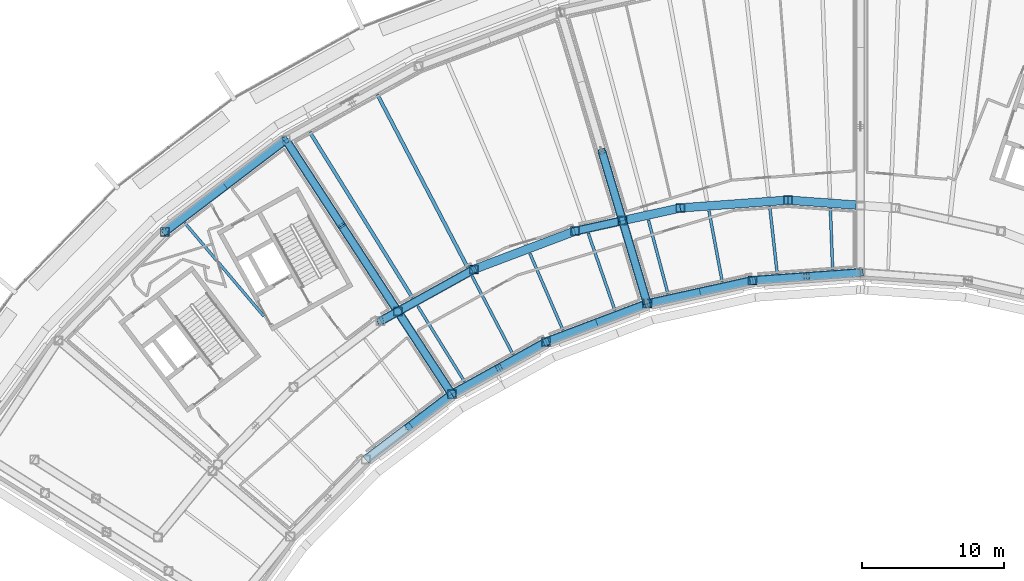
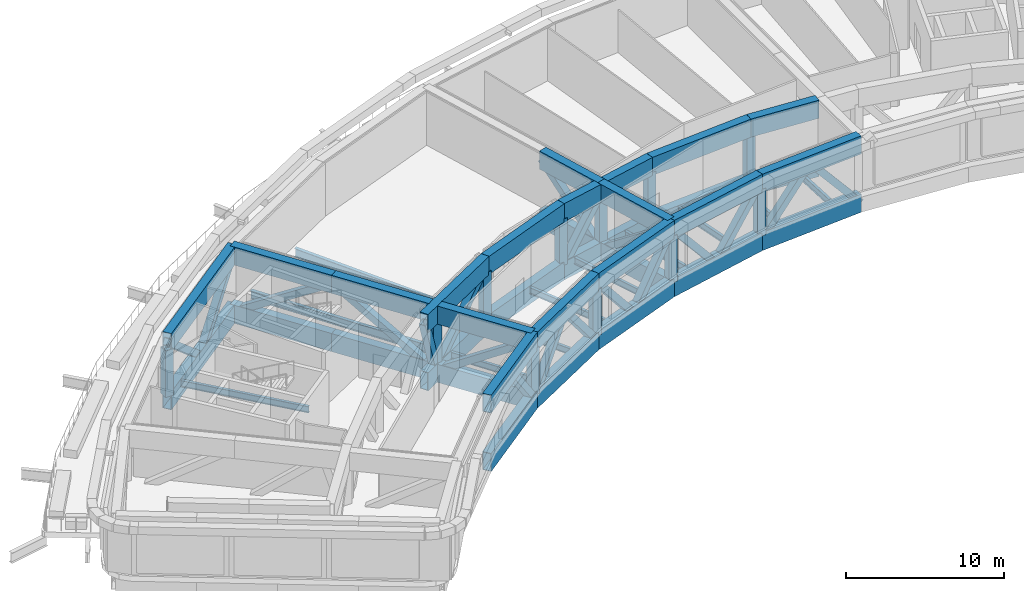
# One storey, part 2 of 24: 45 beams, 30 members.
"""IFC4 building model written with IfcOpenShell, lengths in metres."""

from ifc_helpers import new_model, si_unit, direction, frame, origin, origin_2d, place, context, subcontext, project, spatial, hollow_rectangle, i_section, extrude, material, material_profile, profile_set, type_object, element, save


model = new_model("IFC4")

# Units and contexts
model_context = context("Model", 3, precision=1e-05, world=origin(), true_north=direction((0.0, 1.0)))
body_context = subcontext(model_context, "Body", "Model", "MODEL_VIEW")
ifc_project = project(units=[si_unit("LENGTHUNIT", "METRE"), si_unit("AREAUNIT", "SQUARE_METRE"), si_unit("VOLUMEUNIT", "CUBIC_METRE"), si_unit("PLANEANGLEUNIT", "RADIAN"), si_unit("MASSUNIT", "GRAM", prefix="KILO")], contexts=[model_context])

# Site, building, storey
site_placement = place(None, origin())
site = spatial("IfcSite", under=ifc_project, at=site_placement, CompositionType="ELEMENT")
building_placement = place(site_placement, origin())
building = spatial("IfcBuilding", under=site, at=building_placement, Name="Tuul Gate Civic Tower", CompositionType="ELEMENT")
storey_placement = place(building_placement, frame((0.0, 0.0, 243.89990234375)))
storey = spatial("IfcBuildingStorey", under=building, at=storey_placement, Name="Plant and refuge floor 6", CompositionType="ELEMENT", Elevation=243.89990234375)

# Beams
ifc_material_1 = material(Name="Steel S355", Category="steel")
ifc_material_profile_1 = material_profile(ifc_material_1, i_section(OverallWidth=0.199951171875, OverallDepth=0.5, WebThickness=0.010009765625, FlangeThickness=0.01611328125, at=origin_2d()), Name="PG500x200x10x16")
ifc_profile_set_1 = profile_set([ifc_material_profile_1], Name="Steel S355")
beam_type_1 = type_object("IfcBeamType", Name="STR-FLOOR BEAM-PG500x200x10x16", PredefinedType="BEAM", material=ifc_profile_set_1)
beam_1_placement = place(storey_placement, frame((9.077880859375, -7.67236328125, -0.64990234375), z_axis=(-0.036974021979, 0.999316227077, 0.0), x_axis=(-0.999316227077, -0.036974021979, 0.0)))
element("IfcBeam", 1, at=beam_1_placement, inside=storey, type_object=beam_type_1, Name="Floor beam", PredefinedType="BEAM", context=body_context, shape_type="SweptSolid", body=[
    extrude(i_section(OverallWidth=0.199951171875, OverallDepth=0.5, WebThickness=0.010009765625, FlangeThickness=0.01611328125, at=origin_2d()), origin(), (0.0, 0.0, 1.0), 4.318359375),
])
beam_2_placement = place(storey_placement, frame((5.181884765625, -7.954345703125, -0.64990234375), z_axis=(-0.110826448476, 0.993839774973, 0.0), x_axis=(-0.993839774973, -0.110826448476, 0.0)))
element("IfcBeam", 2, at=beam_2_placement, inside=storey, type_object=beam_type_1, Name="Floor beam", PredefinedType="BEAM", context=body_context, shape_type="SweptSolid", body=[
    extrude(i_section(OverallWidth=0.199951171875, OverallDepth=0.5, WebThickness=0.010009765625, FlangeThickness=0.01611328125, at=origin_2d()), origin(), (0.0, 0.0, 1.0), 4.74951171875),
])
beam_3_placement = place(storey_placement, frame((1.3203125, -8.54296875, -0.64990234375), z_axis=(-0.183990011137, 0.982928113242, 0.0), x_axis=(-0.982928113242, -0.183990011137, 0.0)))
element("IfcBeam", 3, at=beam_3_placement, inside=storey, type_object=beam_type_1, Name="Floor beam", PredefinedType="BEAM", context=body_context, shape_type="SweptSolid", body=[
    extrude(i_section(OverallWidth=0.199951171875, OverallDepth=0.5, WebThickness=0.010009765625, FlangeThickness=0.01611328125, at=origin_2d()), origin(), (0.0, 0.0, 1.0), 5.086181640625),
])
beam_4_placement = place(storey_placement, frame((-2.494384765625, -9.3837890625, -0.64990234375), z_axis=(-0.256166093914, 0.966632780496, 0.0), x_axis=(-0.966632780496, -0.256166093914, 0.0)))
element("IfcBeam", 4, at=beam_4_placement, inside=storey, type_object=beam_type_1, Name="Floor beam", PredefinedType="BEAM", context=body_context, shape_type="SweptSolid", body=[
    extrude(i_section(OverallWidth=0.199951171875, OverallDepth=0.5, WebThickness=0.010009765625, FlangeThickness=0.01611328125, at=origin_2d()), origin(), (0.0, 0.0, 1.0), 5.372314453125),
])
beam_5_placement = place(storey_placement, frame((-6.223388671875, -10.547607421875, -0.64990234375), z_axis=(-0.326900199845, 0.945058865543, 0.0), x_axis=(-0.945058865543, -0.326900199845, 0.0)))
element("IfcBeam", 5, at=beam_5_placement, inside=storey, type_object=beam_type_1, Name="Floor beam", PredefinedType="BEAM", context=body_context, shape_type="SweptSolid", body=[
    extrude(i_section(OverallWidth=0.199951171875, OverallDepth=0.5, WebThickness=0.010009765625, FlangeThickness=0.01611328125, at=origin_2d()), origin(), (0.0, 0.0, 1.0), 5.740234375),
])
beam_6_placement = place(storey_placement, frame((-9.87744140625, -11.92919921875, -0.64990234375), z_axis=(-0.395911608318, 0.918288624779, 0.0), x_axis=(-0.918288624779, -0.395911608318, 0.0)))
element("IfcBeam", 6, at=beam_6_placement, inside=storey, type_object=beam_type_1, Name="Floor beam", PredefinedType="BEAM", context=body_context, shape_type="SweptSolid", body=[
    extrude(i_section(OverallWidth=0.199951171875, OverallDepth=0.5, WebThickness=0.010009765625, FlangeThickness=0.01611328125, at=origin_2d()), origin(), (0.0, 0.0, 1.0), 5.86865234375),
])
beam_7_placement = place(storey_placement, frame((-13.388427734375, -13.641845703125, -0.64990234375), z_axis=(-0.462744320422, 0.886491790102, 0.0), x_axis=(-0.886491790102, -0.462744320422, 0.0)))
element("IfcBeam", 7, at=beam_7_placement, inside=storey, type_object=beam_type_1, Name="Floor beam", PredefinedType="BEAM", context=body_context, shape_type="SweptSolid", body=[
    extrude(i_section(OverallWidth=0.199951171875, OverallDepth=0.5, WebThickness=0.010009765625, FlangeThickness=0.01611328125, at=origin_2d()), origin(), (0.0, 0.0, 1.0), 6.222900390625),
])
beam_8_placement = place(storey_placement, frame((-16.805419921875, -15.5361328125, -0.64990234375), z_axis=(-0.527018379909, 0.849853885817, 0.0), x_axis=(-0.849853885817, -0.527018379909, 0.0)))
element("IfcBeam", 8, at=beam_8_placement, inside=storey, type_object=beam_type_1, Name="Floor beam", PredefinedType="BEAM", context=body_context, shape_type="SweptSolid", body=[
    extrude(i_section(OverallWidth=0.199951171875, OverallDepth=0.5, WebThickness=0.010009765625, FlangeThickness=0.01611328125, at=origin_2d()), origin(), (0.0, 0.0, 1.0), 6.228271484375),
])
beam_9_placement = place(storey_placement, frame((-30.906005859375, -10.947998046875, -0.64990234375), z_axis=(-0.646586120316, 0.762840998514, 0.0), x_axis=(-0.762840998514, -0.646586120316, 0.0)))
element("IfcBeam", 9, at=beam_9_placement, inside=storey, type_object=beam_type_1, Name="Floor beam", PredefinedType="BEAM", context=body_context, shape_type="SweptSolid", body=[
    extrude(i_section(OverallWidth=0.199951171875, OverallDepth=0.5, WebThickness=0.010009765625, FlangeThickness=0.01611328125, at=origin_2d()), origin(), (0.0, 0.0, 1.0), 8.59765625),
])
ifc_material_2 = material(Name="Steel S355", Category="steel")
ifc_material_profile_2 = material_profile(ifc_material_2, i_section(OverallWidth=0.25, OverallDepth=0.64990234375, WebThickness=0.011962890625, FlangeThickness=0.02001953125, at=origin_2d()), Name="PG650x250x12x20")
ifc_profile_set_2 = profile_set([ifc_material_profile_2], Name="Steel S355")
beam_type_2 = type_object("IfcBeamType", Name="STR-FLOOR BEAM-PG650x250x12x20", PredefinedType="BEAM", material=ifc_profile_set_2)
beam_10_placement = place(storey_placement, frame((-16.592041015625, -7.50439453125, -0.724853515625), z_axis=(-0.462733078446, 0.886497658267, 0.0), x_axis=(-0.886497658267, -0.462733078446, 0.0)))
element("IfcBeam", 10, at=beam_10_placement, inside=storey, type_object=beam_type_2, Name="Floor beam", PredefinedType="BEAM", context=body_context, shape_type="SweptSolid", body=[
    extrude(i_section(OverallWidth=0.25, OverallDepth=0.64990234375, WebThickness=0.011962890625, FlangeThickness=0.02001953125, at=origin_2d()), origin(), (0.0, 0.0, 1.0), 13.682861328125),
])
beam_11_placement = place(storey_placement, frame((-20.457275390625, -9.647216796875, -0.724853515625), z_axis=(-0.527005596065, 0.849861813307, 0.0), x_axis=(-0.849861813307, -0.527005596065, 0.0)))
element("IfcBeam", 11, at=beam_11_placement, inside=storey, type_object=beam_type_2, Name="Floor beam", PredefinedType="BEAM", context=body_context, shape_type="SweptSolid", body=[
    extrude(i_section(OverallWidth=0.25, OverallDepth=0.64990234375, WebThickness=0.011962890625, FlangeThickness=0.02001953125, at=origin_2d()), origin(), (0.0, 0.0, 1.0), 13.6953125),
])
ifc_material_3 = material(Name="Steel S460", Category="steel")
ifc_material_profile_3 = material_profile(ifc_material_3, hollow_rectangle(XDim=0.60009765625, YDim=1.39990234375, WallThickness=0.031982421875, at=origin_2d()), Name="BOX1400x600x32")
ifc_profile_set_3 = profile_set([ifc_material_profile_3], Name="Steel S460")
beam_type_3 = type_object("IfcBeamType", Name="STR-TRANSFER TRUSS CHORD-BOX1400x600x32", PredefinedType="BEAM", material=ifc_profile_set_3)
beam_12_placement = place(storey_placement, frame((-7.14208984375, 0.64599609375, -1.099853515625), z_axis=(0.28524415459, -0.958454887969, 0.0), x_axis=(0.958454887969, 0.28524415459, 0.0)))
element("IfcBeam", 12, at=beam_12_placement, inside=storey, type_object=beam_type_3, Name="Radial truss bottom chord", PredefinedType="BEAM", context=body_context, shape_type="SweptSolid", body=[
    extrude(hollow_rectangle(XDim=0.60009765625, YDim=1.39990234375, WallThickness=0.031982421875, at=origin_2d()), origin(), (0.0, 0.0, 1.0), 5.0908203125),
])
beam_13_placement = place(storey_placement, frame((-5.68994140625, -4.2333984375, -1.099853515625), z_axis=(0.285189514104, -0.958471147738, 0.0), x_axis=(0.958471147738, 0.285189514104, 0.0)))
element("IfcBeam", 13, at=beam_13_placement, inside=storey, type_object=beam_type_3, Name="Radial truss bottom chord", PredefinedType="BEAM", context=body_context, shape_type="SweptSolid", body=[
    extrude(hollow_rectangle(XDim=0.60009765625, YDim=1.39990234375, WallThickness=0.031982421875, at=origin_2d()), origin(), (0.0, 0.0, 1.0), 6.083251953125),
])
beam_14_placement = place(storey_placement, frame((-7.14208984375, 0.64599609375, 3.400146484375), z_axis=(0.28524415459, -0.958454887969, 0.0), x_axis=(0.958454887969, 0.28524415459, 0.0)))
element("IfcBeam", 14, at=beam_14_placement, inside=storey, type_object=beam_type_3, Name="Radial truss top chord", PredefinedType="BEAM", context=body_context, shape_type="SweptSolid", body=[
    extrude(hollow_rectangle(XDim=0.60009765625, YDim=1.39990234375, WallThickness=0.031982421875, at=origin_2d()), origin(), (0.0, 0.0, 1.0), 5.0908203125),
])
beam_15_placement = place(storey_placement, frame((-5.68994140625, -4.2333984375, 3.400146484375), z_axis=(0.285189514104, -0.958471147738, 0.0), x_axis=(0.958471147738, 0.285189514104, 0.0)))
element("IfcBeam", 15, at=beam_15_placement, inside=storey, type_object=beam_type_3, Name="Radial truss top chord", PredefinedType="BEAM", context=body_context, shape_type="SweptSolid", body=[
    extrude(hollow_rectangle(XDim=0.60009765625, YDim=1.39990234375, WallThickness=0.031982421875, at=origin_2d()), origin(), (0.0, 0.0, 1.0), 6.083251953125),
])
beam_16_placement = place(storey_placement, frame((-29.37109375, 1.451904296875, -1.099853515625), z_axis=(0.546718154189, -0.837316702258, 0.0), x_axis=(0.837316702258, 0.546718154189, 0.0)))
element("IfcBeam", 16, at=beam_16_placement, inside=storey, type_object=beam_type_3, Name="Radial truss bottom chord", PredefinedType="BEAM", context=body_context, shape_type="SweptSolid", body=[
    extrude(hollow_rectangle(XDim=0.60009765625, YDim=1.39990234375, WallThickness=0.031982421875, at=origin_2d()), origin(), (0.0, 0.0, 1.0), 7.208251953125),
])
beam_17_placement = place(storey_placement, frame((-25.43017578125, -4.583740234375, -1.099853515625), z_axis=(0.546681702146, -0.837340502149, 0.0), x_axis=(0.837340502149, 0.546681702146, 0.0)))
element("IfcBeam", 17, at=beam_17_placement, inside=storey, type_object=beam_type_3, Name="Radial truss bottom chord", PredefinedType="BEAM", context=body_context, shape_type="SweptSolid", body=[
    extrude(hollow_rectangle(XDim=0.60009765625, YDim=1.39990234375, WallThickness=0.031982421875, at=origin_2d()), origin(), (0.0, 0.0, 1.0), 6.90771484375),
])
beam_18_placement = place(storey_placement, frame((-21.324951171875, -10.87158203125, -1.099853515625), z_axis=(0.546679451276, -0.83734197169, 0.0), x_axis=(0.83734197169, 0.546679451276, 0.0)))
element("IfcBeam", 18, at=beam_18_placement, inside=storey, type_object=beam_type_3, Name="Radial truss bottom chord", PredefinedType="BEAM", context=body_context, shape_type="SweptSolid", body=[
    extrude(hollow_rectangle(XDim=0.60009765625, YDim=1.39990234375, WallThickness=0.031982421875, at=origin_2d()), origin(), (0.0, 0.0, 1.0), 6.63818359375),
])
beam_19_placement = place(storey_placement, frame((-29.37109375, 1.451904296875, 3.400146484375), z_axis=(0.546718154189, -0.837316702258, 0.0), x_axis=(0.837316702258, 0.546718154189, 0.0)))
element("IfcBeam", 19, at=beam_19_placement, inside=storey, type_object=beam_type_3, Name="Radial truss top chord", PredefinedType="BEAM", context=body_context, shape_type="SweptSolid", body=[
    extrude(hollow_rectangle(XDim=0.60009765625, YDim=1.39990234375, WallThickness=0.031982421875, at=origin_2d()), origin(), (0.0, 0.0, 1.0), 7.208251953125),
])
beam_20_placement = place(storey_placement, frame((-25.43017578125, -4.583740234375, 3.400146484375), z_axis=(0.546681702146, -0.837340502149, 0.0), x_axis=(0.837340502149, 0.546681702146, 0.0)))
element("IfcBeam", 20, at=beam_20_placement, inside=storey, type_object=beam_type_3, Name="Radial truss top chord", PredefinedType="BEAM", context=body_context, shape_type="SweptSolid", body=[
    extrude(hollow_rectangle(XDim=0.60009765625, YDim=1.39990234375, WallThickness=0.031982421875, at=origin_2d()), origin(), (0.0, 0.0, 1.0), 6.90771484375),
])
beam_21_placement = place(storey_placement, frame((-21.324951171875, -10.87158203125, 3.400146484375), z_axis=(0.546679451276, -0.83734197169, 0.0), x_axis=(0.83734197169, 0.546679451276, 0.0)))
element("IfcBeam", 21, at=beam_21_placement, inside=storey, type_object=beam_type_3, Name="Radial truss top chord", PredefinedType="BEAM", context=body_context, shape_type="SweptSolid", body=[
    extrude(hollow_rectangle(XDim=0.60009765625, YDim=1.39990234375, WallThickness=0.031982421875, at=origin_2d()), origin(), (0.0, 0.0, 1.0), 6.63818359375),
])
for number, where, z_axis, x_axis, name in (
    (22, (-29.37109375, 1.451904296875, -1.099853515625), (-0.795613801846, -0.605804158381, 0.0), (0.605804158381, -0.795613801846, 0.0), "Belt truss bottom chord"),
    (23, (-29.37109375, 1.451904296875, 3.400146484375), (-0.795613801846, -0.605804158381, 0.0), (0.605804158381, -0.795613801846, 0.0), "Belt truss top chord"),
):
    element("IfcBeam", number, at=place(storey_placement, frame(where, z_axis=z_axis, x_axis=x_axis)), inside=storey, type_object=beam_type_3, Name=name, PredefinedType="BEAM", context=body_context, shape_type="SweptSolid", body=[
        extrude(hollow_rectangle(XDim=0.60009765625, YDim=1.39990234375, WallThickness=0.031982421875, at=origin_2d()), origin(), (0.0, 0.0, 1.0), 10.678466796875),
    ])
for number, where, z_axis, x_axis, name in (
    (24, (-17.696044921875, -16.429931640625, -1.099853515625), (0.874607402054, 0.484831818544, 0.0), (-0.484831818544, 0.874607402054, 0.0), "Belt truss bottom chord"),
    (25, (-17.696044921875, -16.429931640625, 3.400146484375), (0.874607402054, 0.484831818544, 0.0), (-0.484831818544, 0.874607402054, 0.0), "Belt truss top chord"),
):
    element("IfcBeam", number, at=place(storey_placement, frame(where, z_axis=z_axis, x_axis=x_axis)), inside=storey, type_object=beam_type_3, Name=name, PredefinedType="BEAM", context=body_context, shape_type="SweptSolid", body=[
        extrude(hollow_rectangle(XDim=0.60009765625, YDim=1.39990234375, WallThickness=0.031982421875, at=origin_2d()), origin(), (0.0, 0.0, 1.0), 7.592041015625),
    ])
for number, where, z_axis, x_axis, name in (
    (26, (-22.70458984375, -11.29345703125, -1.099853515625), (0.874588517797, 0.484865883042, 0.0), (-0.484865883042, 0.874588517797, 0.0), "Belt truss bottom chord"),
    (27, (-22.70458984375, -11.29345703125, 3.400146484375), (0.874588517797, 0.484865883042, 0.0), (-0.484865883042, 0.874588517797, 0.0), "Belt truss top chord"),
):
    element("IfcBeam", number, at=place(storey_placement, frame(where, z_axis=z_axis, x_axis=x_axis)), inside=storey, type_object=beam_type_3, Name=name, PredefinedType="BEAM", context=body_context, shape_type="SweptSolid", body=[
        extrude(hollow_rectangle(XDim=0.60009765625, YDim=1.39990234375, WallThickness=0.031982421875, at=origin_2d()), origin(), (0.0, 0.0, 1.0), 7.498046875),
    ])
for number, where, z_axis, x_axis, name in (
    (28, (-3.955078125, -10.06396484375, -1.099853515625), (0.976563150076, 0.215231070978, 0.0), (-0.215231070978, 0.976563150076, 0.0), "Belt truss bottom chord"),
    (29, (-3.955078125, -10.06396484375, 3.400146484375), (0.976563150076, 0.215231070978, 0.0), (-0.215231070978, 0.976563150076, 0.0), "Belt truss top chord"),
):
    element("IfcBeam", number, at=place(storey_placement, frame(where, z_axis=z_axis, x_axis=x_axis)), inside=storey, type_object=beam_type_3, Name=name, PredefinedType="BEAM", context=body_context, shape_type="SweptSolid", body=[
        extrude(hollow_rectangle(XDim=0.60009765625, YDim=1.39990234375, WallThickness=0.031982421875, at=origin_2d()), origin(), (0.0, 0.0, 1.0), 7.592041015625),
    ])
beam_22_placement = place(storey_placement, frame((-9.0458984375, -4.972900390625, -1.099853515625), z_axis=(0.976566628137, 0.215215289441, 0.0), x_axis=(-0.215215289441, 0.976566628137, 0.0)))
element("IfcBeam", 30, at=beam_22_placement, inside=storey, type_object=beam_type_3, Name="Belt truss bottom chord", PredefinedType="BEAM", context=body_context, shape_type="SweptSolid", body=[
    extrude(hollow_rectangle(XDim=0.60009765625, YDim=1.39990234375, WallThickness=0.031982421875, at=origin_2d()), origin(), (0.0, 0.0, 1.0), 3.135498046875),
])
beam_23_placement = place(storey_placement, frame((-5.396240234375, -4.168701171875, -1.099853515625), z_axis=(0.97656411891, 0.215226675059, 0.0), x_axis=(-0.215226675059, 0.97656411891, 0.0)))
element("IfcBeam", 31, at=beam_23_placement, inside=storey, type_object=beam_type_3, Name="Belt truss bottom chord", PredefinedType="BEAM", context=body_context, shape_type="SweptSolid", body=[
    extrude(hollow_rectangle(XDim=0.60009765625, YDim=1.39990234375, WallThickness=0.031982421875, at=origin_2d()), origin(), (0.0, 0.0, 1.0), 3.8544921875),
])
beam_24_placement = place(storey_placement, frame((-9.0458984375, -4.972900390625, 3.400146484375), z_axis=(0.976566628137, 0.215215289441, 0.0), x_axis=(-0.215215289441, 0.976566628137, 0.0)))
element("IfcBeam", 32, at=beam_24_placement, inside=storey, type_object=beam_type_3, Name="Belt truss top chord", PredefinedType="BEAM", context=body_context, shape_type="SweptSolid", body=[
    extrude(hollow_rectangle(XDim=0.60009765625, YDim=1.39990234375, WallThickness=0.031982421875, at=origin_2d()), origin(), (0.0, 0.0, 1.0), 3.135498046875),
])
beam_25_placement = place(storey_placement, frame((-5.396240234375, -4.168701171875, 3.400146484375), z_axis=(0.97656411891, 0.215226675059, 0.0), x_axis=(-0.215226675059, 0.97656411891, 0.0)))
element("IfcBeam", 33, at=beam_25_placement, inside=storey, type_object=beam_type_3, Name="Belt truss top chord", PredefinedType="BEAM", context=body_context, shape_type="SweptSolid", body=[
    extrude(hollow_rectangle(XDim=0.60009765625, YDim=1.39990234375, WallThickness=0.031982421875, at=origin_2d()), origin(), (0.0, 0.0, 1.0), 3.8544921875),
])
for number, where, z_axis, x_axis, name in (
    (34, (-1.632080078125, -3.339111328125, -1.099853515625), (0.997381233603, 0.072323404623, 0.0), (-0.072323404623, 0.997381233603, 0.0), "Belt truss bottom chord"),
    (35, (-1.632080078125, -3.339111328125, 3.400146484375), (0.997381233603, 0.072323404623, 0.0), (-0.072323404623, 0.997381233603, 0.0), "Belt truss top chord"),
):
    element("IfcBeam", number, at=place(storey_placement, frame(where, z_axis=z_axis, x_axis=x_axis)), inside=storey, type_object=beam_type_3, Name=name, PredefinedType="BEAM", context=body_context, shape_type="SweptSolid", body=[
        extrude(hollow_rectangle(XDim=0.60009765625, YDim=1.39990234375, WallThickness=0.031982421875, at=origin_2d()), origin(), (0.0, 0.0, 1.0), 7.591796875),
    ])
for number, where, z_axis, x_axis, name in (
    (36, (5.93994140625, -2.7900390625, -1.099853515625), (0.997381237268, -0.072323354088, 0.0), (0.072323354088, 0.997381237268, 0.0), "Belt truss bottom chord"),
    (37, (5.93994140625, -2.7900390625, 3.400146484375), (0.997381237268, -0.072323354088, 0.0), (0.072323354088, 0.997381237268, 0.0), "Belt truss top chord"),
):
    element("IfcBeam", number, at=place(storey_placement, frame(where, z_axis=z_axis, x_axis=x_axis)), inside=storey, type_object=beam_type_3, Name=name, PredefinedType="BEAM", context=body_context, shape_type="SweptSolid", body=[
        extrude(hollow_rectangle(XDim=0.60009765625, YDim=1.39990234375, WallThickness=0.031982421875, at=origin_2d()), origin(), (0.0, 0.0, 1.0), 4.8037109375),
    ])
for number, where, z_axis, x_axis, name in (
    (38, (3.458984375, -8.429931640625, -1.099853515625), (0.997392819349, 0.072163452736, 0.0), (-0.072163452736, 0.997392819349, 0.0), "Belt truss bottom chord"),
    (39, (3.458984375, -8.429931640625, 3.400146484375), (0.997392819349, 0.072163452736, 0.0), (-0.072163452736, 0.997392819349, 0.0), "Belt truss top chord"),
):
    element("IfcBeam", number, at=place(storey_placement, frame(where, z_axis=z_axis, x_axis=x_axis)), inside=storey, type_object=beam_type_3, Name=name, PredefinedType="BEAM", context=body_context, shape_type="SweptSolid", body=[
        extrude(hollow_rectangle(XDim=0.60009765625, YDim=1.39990234375, WallThickness=0.031982421875, at=origin_2d()), origin(), (0.0, 0.0, 1.0), 7.591796875),
    ])
for number, where, z_axis, x_axis, name in (
    (40, (-11.055908203125, -12.7490234375, -1.099853515625), (0.935362186019, 0.353691363996, 0.0), (-0.353691363996, 0.935362186019, 0.0), "Belt truss bottom chord"),
    (41, (-11.055908203125, -12.7490234375, 3.400146484375), (0.935362186019, 0.353691363996, 0.0), (-0.353691363996, 0.935362186019, 0.0), "Belt truss top chord"),
):
    element("IfcBeam", number, at=place(storey_placement, frame(where, z_axis=z_axis, x_axis=x_axis)), inside=storey, type_object=beam_type_3, Name=name, PredefinedType="BEAM", context=body_context, shape_type="SweptSolid", body=[
        extrude(hollow_rectangle(XDim=0.60009765625, YDim=1.39990234375, WallThickness=0.031982421875, at=origin_2d()), origin(), (0.0, 0.0, 1.0), 7.591552734375),
    ])
for number, where, z_axis, x_axis, name in (
    (42, (-16.14697265625, -7.657958984375, -1.099853515625), (0.935366208927, 0.353680724946, 0.0), (-0.353680724946, 0.935366208927, 0.0), "Belt truss bottom chord"),
    (43, (-16.14697265625, -7.657958984375, 3.400146484375), (0.935366208927, 0.353680724946, 0.0), (-0.353680724946, 0.935366208927, 0.0), "Belt truss top chord"),
    (44, (-23.736083984375, -21.029052734375, -1.099853515625), (0.795610335584, 0.60580871066, 0.0), (-0.60580871066, 0.795610335584, 0.0), "Belt truss bottom chord"),
    (45, (-23.736083984375, -21.029052734375, 3.400146484375), (0.795610335584, 0.60580871066, 0.0), (-0.60580871066, 0.795610335584, 0.0), "Belt truss top chord"),
):
    element("IfcBeam", number, at=place(storey_placement, frame(where, z_axis=z_axis, x_axis=x_axis)), inside=storey, type_object=beam_type_3, Name=name, PredefinedType="BEAM", context=body_context, shape_type="SweptSolid", body=[
        extrude(hollow_rectangle(XDim=0.60009765625, YDim=1.39990234375, WallThickness=0.031982421875, at=origin_2d()), origin(), (0.0, 0.0, 1.0), 7.591796875),
    ])

# Members
ifc_material_4 = material(Name="Steel S355", Category="steel")
ifc_material_profile_4 = material_profile(ifc_material_4, hollow_rectangle(XDim=0.5, YDim=0.5, WallThickness=0.02001953125, at=origin_2d()), Name="BOX500x500x20")
ifc_profile_set_4 = profile_set([ifc_material_profile_4], Name="Steel S355")
member_type_1 = type_object("IfcMemberType", Name="STR-TRANSFER TRUSS DIAGONAL-BOX500x500x20", PredefinedType="BRACE", material=ifc_profile_set_4)
member_1_placement = place(storey_placement, frame((-5.68896484375, -4.237060546875, -1.103271484375), z_axis=(-0.213691092331, 0.718139842864, 0.662277346094), x_axis=(-0.958467039251, -0.285203321632, 0.0)))
element("IfcMember", 46, at=member_1_placement, inside=storey, type_object=member_type_1, Name="Radial truss web", PredefinedType="BRACE", context=body_context, shape_type="SweptSolid", body=[
    extrude(hollow_rectangle(XDim=0.5, YDim=0.5, WallThickness=0.02001953125, at=origin_2d()), origin(), (0.0, 0.0, 1.0), 6.8046875),
])
member_2_placement = place(storey_placement, frame((-5.691162109375, -4.2294921875, -1.102783203125), z_axis=(0.229293134796, -0.770561555017, 0.594692818407), x_axis=(0.958465905098, 0.285207133088, 0.0)))
element("IfcMember", 47, at=member_2_placement, inside=storey, type_object=member_type_1, Name="Radial truss web", PredefinedType="BRACE", context=body_context, shape_type="SweptSolid", body=[
    extrude(hollow_rectangle(XDim=0.5, YDim=0.5, WallThickness=0.02001953125, at=origin_2d()), origin(), (0.0, 0.0, 1.0), 7.576904296875),
])
for number, where, z_axis, x_axis, name in (
    (48, (-29.373291015625, 1.45556640625, -1.1025390625), (0.463733133153, -0.710292234642, 0.529562576684), (0.837341296953, 0.546680484759, 0.0), "Radial truss web"),
    (49, (-21.487060546875, -10.623291015625, -1.1025390625), (-0.463755657955, 0.710282782358, 0.529555529478), (-0.837325811294, -0.546704203148, 0.0), "Radial truss web"),
):
    element("IfcMember", number, at=place(storey_placement, frame(where, z_axis=z_axis, x_axis=x_axis)), inside=storey, type_object=member_type_1, Name=name, PredefinedType="BRACE", context=body_context, shape_type="SweptSolid", body=[
        extrude(hollow_rectangle(XDim=0.5, YDim=0.5, WallThickness=0.02001953125, at=origin_2d()), origin(), (0.0, 0.0, 1.0), 8.5078125),
    ])
member_3_placement = place(storey_placement, frame((-21.49169921875, -10.6162109375, -1.1025390625), z_axis=(0.458682314759, -0.702544333488, 0.544097411877), x_axis=(0.837337148044, 0.546686839521, 0.0)))
element("IfcMember", 50, at=member_3_placement, inside=storey, type_object=member_type_1, Name="Radial truss web", PredefinedType="BRACE", context=body_context, shape_type="SweptSolid", body=[
    extrude(hollow_rectangle(XDim=0.5, YDim=0.5, WallThickness=0.02001953125, at=origin_2d()), origin(), (0.0, 0.0, 1.0), 8.280517578125),
])
for number, where, z_axis, x_axis, name in (
    (51, (-33.6220703125, -1.784912109375, -1.10302734375), (0.608370819029, 0.463234664383, 0.64443664721), (-0.605806572791, 0.795611963437, 0.0), "Belt truss web"),
    (52, (-33.615966796875, -1.7802734375, -1.10302734375), (-0.608380658215, -0.46320724204, 0.644447069689), (0.605777669376, -0.79563397067, 0.0), "Belt truss web"),
):
    element("IfcMember", number, at=place(storey_placement, frame(where, z_axis=z_axis, x_axis=x_axis)), inside=storey, type_object=member_type_1, Name=name, PredefinedType="BRACE", context=body_context, shape_type="SweptSolid", body=[
        extrude(hollow_rectangle(XDim=0.5, YDim=0.5, WallThickness=0.02001953125, at=origin_2d()), origin(), (0.0, 0.0, 1.0), 6.99267578125),
    ])
for number, where, z_axis, x_axis, name in (
    (53, (-17.69873046875, -16.431640625, -1.103759765625), (0.563908179161, 0.31265212312, 0.764366545176), (-0.484895886136, 0.874571883614, 0.0), "Belt truss web"),
    (54, (-11.05322265625, -12.74755859375, -1.103759765625), (-0.563943712005, -0.312607470955, 0.764358593066), (0.484819546412, -0.874614204903, 0.0), "Belt truss web"),
):
    element("IfcMember", number, at=place(storey_placement, frame(where, z_axis=z_axis, x_axis=x_axis)), inside=storey, type_object=member_type_1, Name=name, PredefinedType="BRACE", context=body_context, shape_type="SweptSolid", body=[
        extrude(hollow_rectangle(XDim=0.5, YDim=0.5, WallThickness=0.02001953125, at=origin_2d()), origin(), (0.0, 0.0, 1.0), 5.897216796875),
    ])
member_4_placement = place(storey_placement, frame((-21.48828125, -10.618896484375, -1.104736328125), z_axis=(-0.258023829609, -0.143082179771, 0.955484794848), x_axis=(0.484958009476, -0.874537437189, 0.0)))
element("IfcMember", 55, at=member_4_placement, inside=storey, type_object=member_type_1, Name="Belt truss web", PredefinedType="BRACE", context=body_context, shape_type="SweptSolid", body=[
    extrude(hollow_rectangle(XDim=0.5, YDim=0.5, WallThickness=0.02001953125, at=origin_2d()), origin(), (0.0, 0.0, 1.0), 4.7197265625),
])
member_5_placement = place(storey_placement, frame((-21.492919921875, -10.62158203125, -1.102783203125), z_axis=(0.70414966585, 0.390365843233, 0.593116983841), x_axis=(-0.484856470005, 0.874593736254, 0.0)))
element("IfcMember", 56, at=member_5_placement, inside=storey, type_object=member_type_1, Name="Belt truss web", PredefinedType="BRACE", context=body_context, shape_type="SweptSolid", body=[
    extrude(hollow_rectangle(XDim=0.5, YDim=0.5, WallThickness=0.02001953125, at=origin_2d()), origin(), (0.0, 0.0, 1.0), 7.596923828125),
])
for number, where, z_axis, x_axis, name in (
    (57, (-0.244873046875, -9.246337890625, -1.103759765625), (-0.629684186818, -0.138770637358, 0.764356288048), (0.215216968894, -0.976566258018, 0.0), "Belt truss web"),
    (58, (-0.251220703125, -9.247802734375, -1.103759765625), (0.629680568764, 0.138811239123, 0.764351896193), (-0.21527819927, 0.976552761974, 0.0), "Belt truss web"),
):
    element("IfcMember", number, at=place(storey_placement, frame(where, z_axis=z_axis, x_axis=x_axis)), inside=storey, type_object=member_type_1, Name=name, PredefinedType="BRACE", context=body_context, shape_type="SweptSolid", body=[
        extrude(hollow_rectangle(XDim=0.5, YDim=0.5, WallThickness=0.02001953125, at=origin_2d()), origin(), (0.0, 0.0, 1.0), 5.897216796875),
    ])
member_6_placement = place(storey_placement, frame((-9.049072265625, -4.9736328125, -1.103759765625), z_axis=(0.592735201121, 0.130633311699, 0.794732608634), x_axis=(-0.215225674958, 0.976564339324, 0.0)))
element("IfcMember", 59, at=member_6_placement, inside=storey, type_object=member_type_1, Name="Belt truss web", PredefinedType="BRACE", context=body_context, shape_type="SweptSolid", body=[
    extrude(hollow_rectangle(XDim=0.5, YDim=0.5, WallThickness=0.02001953125, at=origin_2d()), origin(), (0.0, 0.0, 1.0), 5.672119140625),
])
for number, where, z_axis, x_axis, name in (
    (60, (3.455810546875, -8.43017578125, -1.103759765625), (0.643103900145, 0.046533332288, 0.764363802521), (-0.07216873307, 0.997392437292, 0.0), "Belt truss web"),
    (61, (11.0341796875, -7.8818359375, -1.103759765625), (-0.643103900145, -0.046533332288, 0.764363802521), (0.07216873307, -0.997392437292, 0.0), "Belt truss web"),
    (62, (-7.50244140625, -11.4052734375, -1.103759765625), (-0.603108022903, -0.228069885926, 0.764359103985), (0.35371145216, -0.935354589774, 0.0), "Belt truss web"),
    (63, (-7.508544921875, -11.40771484375, -1.103759765625), (0.603108022903, 0.228069885926, 0.764359103985), (-0.35371145216, 0.935354589774, 0.0), "Belt truss web"),
):
    element("IfcMember", number, at=place(storey_placement, frame(where, z_axis=z_axis, x_axis=x_axis)), inside=storey, type_object=member_type_1, Name=name, PredefinedType="BRACE", context=body_context, shape_type="SweptSolid", body=[
        extrude(hollow_rectangle(XDim=0.5, YDim=0.5, WallThickness=0.02001953125, at=origin_2d()), origin(), (0.0, 0.0, 1.0), 5.897216796875),
    ])
member_7_placement = place(storey_placement, frame((-17.693359375, -16.427978515625, -1.103759765625), z_axis=(-0.512989911448, -0.390610912316, 0.764371942141), x_axis=(0.605809108227, -0.795610032861, 0.0)))
element("IfcMember", 64, at=member_7_placement, inside=storey, type_object=member_type_1, Name="Belt truss web", PredefinedType="BRACE", context=body_context, shape_type="SweptSolid", body=[
    extrude(hollow_rectangle(XDim=0.5, YDim=0.5, WallThickness=0.02001953125, at=origin_2d()), origin(), (0.0, 0.0, 1.0), 5.89697265625),
])
ifc_material_5 = material(Name="Steel S355", Category="steel")
ifc_material_profile_5 = material_profile(ifc_material_5, hollow_rectangle(XDim=0.60009765625, YDim=0.60009765625, WallThickness=0.028076171875, at=origin_2d()), Name="BOX600x600x28")
ifc_profile_set_5 = profile_set([ifc_material_profile_5], Name="Steel S355")
member_type_2 = type_object("IfcMemberType", Name="STR-TRUSS POST-BOX600x600x28", PredefinedType="POST", material=ifc_profile_set_5)
for number, where, z_axis, x_axis, name in (
    (65, (-5.68994140625, -4.2333984375, -0.64501953125), (0.0, 0.0, 1.0), (1.0, 0.0, 0.0), "Radial truss post"),
    (66, (-3.955078125, -10.06396484375, -0.64501953125), (0.0, 0.0, 1.0), (1.0, 0.0, 0.0), "Radial truss post"),
    (67, (-21.489501953125, -10.61962890625, -0.64501953125), (0.0, 0.0, 1.0), (1.0, 0.0, 0.0), "Radial truss post"),
    (68, (-17.696044921875, -16.429931640625, -0.64501953125), (0.0, 0.0, 1.0), (1.0, 0.0, 0.0), "Radial truss post"),
    (69, (-37.866943359375, -5.01708984375, -0.64501953125), (0.0, 0.0, 1.0), (1.0, 0.0, 0.0), "Belt truss post"),
    (70, (-11.055908203125, -12.7490234375, -0.64501953125), (0.0, 0.0, 1.0), (1.0, 0.0, 0.0), "Belt truss post"),
    (71, (-16.14697265625, -7.657958984375, -0.64501953125), (0.0, 0.0, 1.0), (1.0, 0.0, 0.0), "Belt truss post"),
    (72, (3.458984375, -8.429931640625, -0.64501953125), (0.0, 0.0, 1.0), (1.0, 0.0, 0.0), "Belt truss post"),
    (73, (-9.0458984375, -4.972900390625, -0.64501953125), (0.0, 0.0, 1.0), (1.0, 0.0, 0.0), "Belt truss post"),
    (74, (-1.632080078125, -3.339111328125, -0.64501953125), (0.0, 0.0, 1.0), (1.0, 0.0, 0.0), "Belt truss post"),
    (75, (5.93994140625, -2.7900390625, -0.64501953125), (0.0, 0.0, 1.0), (1.0, 0.0, 0.0), "Belt truss post"),
):
    element("IfcMember", number, at=place(storey_placement, frame(where, z_axis=z_axis, x_axis=x_axis)), inside=storey, type_object=member_type_2, Name=name, PredefinedType="POST", context=body_context, shape_type="SweptSolid", body=[
        extrude(hollow_rectangle(XDim=0.60009765625, YDim=0.60009765625, WallThickness=0.028076171875, at=origin_2d()), origin(), (0.0, 0.0, 1.0), 3.590087890625),
    ])

save(model, "model.ifc")
